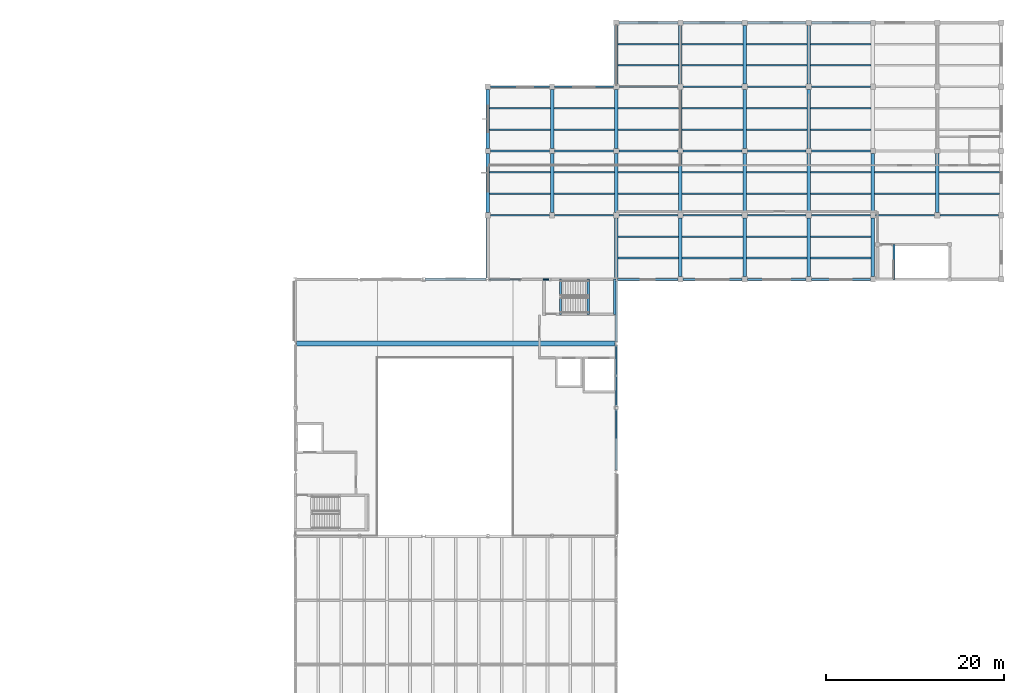
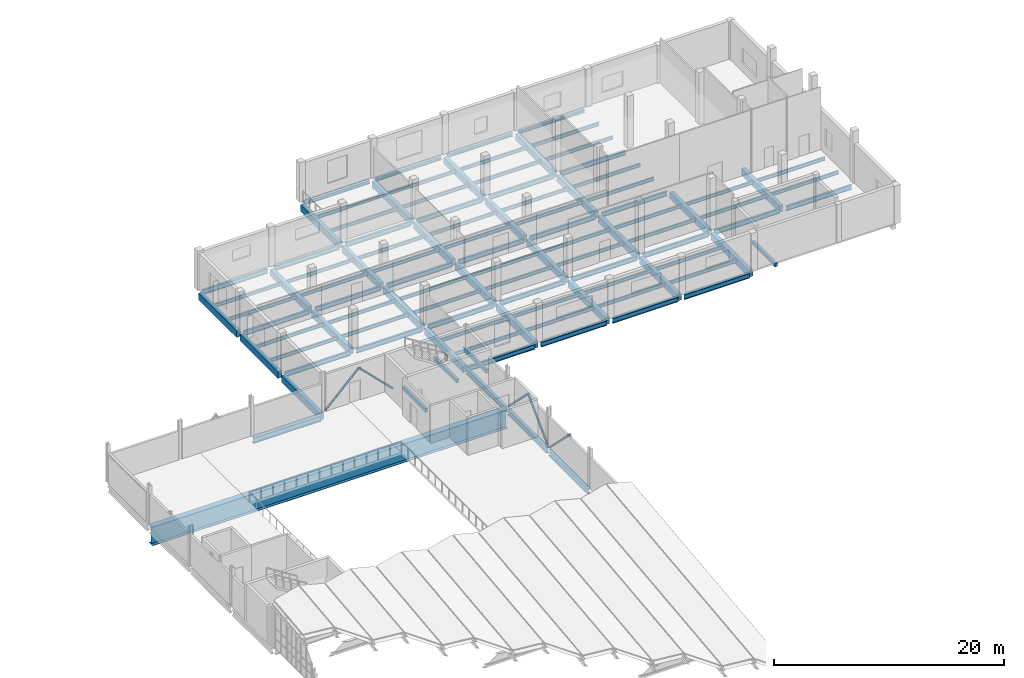
# One storey, part 19 of 48: 105 beams, 5 members.
"""IFC4 building model written with IfcOpenShell, lengths in metres."""

from ifc_helpers import new_model, si_unit, direction, frame, origin, origin_2d, place, context, subcontext, project, spatial, rectangle, hollow_circle, i_section, extrude, material, material_profile, profile_set, type_object, element, save


model = new_model("IFC4")

# Units and contexts
model_context = context("Model", 3, precision=1e-05, world=origin(), true_north=direction((0.0, 1.0)))
body_context = subcontext(model_context, "Body", "Model", "MODEL_VIEW")
ifc_project = project(units=[si_unit("LENGTHUNIT", "METRE"), si_unit("AREAUNIT", "SQUARE_METRE"), si_unit("VOLUMEUNIT", "CUBIC_METRE"), si_unit("PLANEANGLEUNIT", "RADIAN"), si_unit("MASSUNIT", "GRAM", prefix="KILO"), si_unit("THERMODYNAMICTEMPERATUREUNIT", "KELVIN"), si_unit("POWERUNIT", "WATT")], contexts=[model_context])

# Site, building, storey
site_placement = place(None, origin())
site = spatial("IfcSite", under=ifc_project, at=site_placement, CompositionType="ELEMENT")
building_placement = place(site_placement, origin())
building = spatial("IfcBuilding", under=site, at=building_placement, Name="Kaldorven Railside Theatre", CompositionType="ELEMENT")
storey_placement = place(building_placement, frame((0.0, 0.0, 18.89990234375)))
storey = spatial("IfcBuildingStorey", under=building, at=storey_placement, Name="L04", CompositionType="ELEMENT", Elevation=18.89990234375)

# Beams
ifc_material_1 = material(Name="Steel S355", Category="steel")
ifc_material_profile_1 = material_profile(ifc_material_1, i_section(OverallWidth=0.300048828125, OverallDepth=0.340087890625, WebThickness=0.011962890625, FlangeThickness=0.021484375, at=origin_2d()), Name="HEB 340")
ifc_profile_set_1 = profile_set([ifc_material_profile_1], Name="Steel S355")
beam_type_1 = type_object("IfcBeamType", Name="BM-HEB340", PredefinedType="SPANDREL", material=ifc_profile_set_1)
for number, where, z_axis, x_axis, name in (
    (1, (123.5, 141.60009765625, -0.449951171875), (1.0, 0.0, 0.0), (0.0, 1.0, 0.0), "L04 Girder BGX-L04-123-141"),
    (2, (130.699951171875, 141.60009765625, -0.449951171875), (1.0, 0.0, 0.0), (0.0, 1.0, 0.0), "L04 Girder BGX-L04-130-141"),
    (3, (137.89990234375, 141.60009765625, -0.449951171875), (1.0, 0.0, 0.0), (0.0, 1.0, 0.0), "L04 Girder BGX-L04-137-141"),
):
    element("IfcBeam", number, at=place(storey_placement, frame(where, z_axis=z_axis, x_axis=x_axis)), inside=storey, type_object=beam_type_1, Name=name, PredefinedType="SPANDREL", context=body_context, shape_type="SweptSolid", body=[
        extrude(i_section(OverallWidth=0.300048828125, OverallDepth=0.340087890625, WebThickness=0.011962890625, FlangeThickness=0.021484375, at=origin_2d()), origin(), (0.0, 0.0, 1.0), 6.60009765625),
    ])
beam_1_placement = place(storey_placement, frame((145.10009765625, 141.60009765625, -0.449951171875), z_axis=(1.0, 0.0, 0.0), x_axis=(0.0, 1.0, 0.0)))
element("IfcBeam", 4, at=beam_1_placement, inside=storey, type_object=beam_type_1, Name="L04 Girder BGX-L04-144-141", PredefinedType="SPANDREL", context=body_context, shape_type="SweptSolid", body=[
    extrude(i_section(OverallWidth=0.300048828125, OverallDepth=0.340087890625, WebThickness=0.011962890625, FlangeThickness=0.021484375, at=origin_2d()), origin(), (0.0, 0.0, 1.0), 6.599853515625),
])
ifc_material_profile_2 = material_profile(ifc_material_1, i_section(OverallWidth=0.300048828125, OverallDepth=0.60009765625, WebThickness=0.015380859375, FlangeThickness=0.030029296875, at=origin_2d()), Name="HEB 600")
ifc_profile_set_2 = profile_set([ifc_material_profile_2], Name="Steel S355")
beam_type_2 = type_object("IfcBeamType", Name="BM-HEB600", PredefinedType="BEAM", material=ifc_profile_set_2)
beam_2_placement = place(storey_placement, frame((123.199951171875, 91.39990234375, -0.539794921875), z_axis=(0.0, 1.0, 0.0), x_axis=(-1.0, 0.0, 0.0)))
element("IfcBeam", 5, at=beam_2_placement, inside=storey, type_object=beam_type_2, Name="L04 Girder BGY-L04-123-091-72", PredefinedType="BEAM", context=body_context, shape_type="SweptSolid", body=[
    extrude(i_section(OverallWidth=0.300048828125, OverallDepth=0.60009765625, WebThickness=0.015380859375, FlangeThickness=0.030029296875, at=origin_2d()), origin(), (0.0, 0.0, 1.0), 6.85009765625),
])
beam_3_placement = place(storey_placement, frame((123.199951171875, 98.550048828125, -0.539794921875), z_axis=(0.0, 1.0, 0.0), x_axis=(-1.0, 0.0, 0.0)))
element("IfcBeam", 6, at=beam_3_placement, inside=storey, type_object=beam_type_2, Name="L04 Girder BGY-L04-123-098-72", PredefinedType="BEAM", context=body_context, shape_type="SweptSolid", body=[
    extrude(i_section(OverallWidth=0.300048828125, OverallDepth=0.60009765625, WebThickness=0.015380859375, FlangeThickness=0.030029296875, at=origin_2d()), origin(), (0.0, 0.0, 1.0), 6.849853515625),
])
beam_4_placement = place(storey_placement, frame((123.199951171875, 105.800048828125, -0.579833984375), z_axis=(0.0, 1.0, 0.0), x_axis=(-1.0, 0.0, 0.0)))
element("IfcBeam", 7, at=beam_4_placement, inside=storey, type_object=beam_type_2, Name="L04 Girder BGY-L04-123-105-72", PredefinedType="BEAM", context=body_context, shape_type="SweptSolid", body=[
    extrude(i_section(OverallWidth=0.300048828125, OverallDepth=0.60009765625, WebThickness=0.015380859375, FlangeThickness=0.030029296875, at=origin_2d()), origin(), (0.0, 0.0, 1.0), 6.839599609375),
])
beam_5_placement = place(storey_placement, frame((101.75, 112.800048828125, -0.579833984375), z_axis=(1.0, 0.0, 0.0), x_axis=(0.0, 1.0, 0.0)))
element("IfcBeam", 8, at=beam_5_placement, inside=storey, type_object=beam_type_2, Name="L04 Girder BGX-L04-101-112", PredefinedType="BEAM", context=body_context, shape_type="SweptSolid", body=[
    extrude(i_section(OverallWidth=0.300048828125, OverallDepth=0.60009765625, WebThickness=0.015380859375, FlangeThickness=0.030029296875, at=origin_2d()), origin(), (0.0, 0.0, 1.0), 6.85009765625),
])
ifc_material_profile_3 = material_profile(ifc_material_1, i_section(OverallWidth=0.169921875, OverallDepth=0.360107421875, WebThickness=0.008056640625, FlangeThickness=0.0126953125, at=origin_2d()), Name="IPE 360")
ifc_profile_set_3 = profile_set([ifc_material_profile_3], Name="Steel S355")
beam_type_3 = type_object("IfcBeamType", Name="BM-IPE360", PredefinedType="JOIST", material=ifc_profile_set_3)
for number, where, z_axis, x_axis, name in (
    (9, (123.39990234375, 115.199951171875, -0.4599609375), (1.0, 0.0, 0.0), (0.0, 1.0, 0.0), "L04 Secondary Floor Joist JG-L04-123-1152"),
    (10, (123.39990234375, 117.60009765625, -0.4599609375), (1.0, 0.0, 0.0), (0.0, 1.0, 0.0), "L04 Secondary Floor Joist JG-L04-123-1176"),
):
    element("IfcBeam", number, at=place(storey_placement, frame(where, z_axis=z_axis, x_axis=x_axis)), inside=storey, type_object=beam_type_3, Name=name, PredefinedType="JOIST", context=body_context, shape_type="SweptSolid", body=[
        extrude(i_section(OverallWidth=0.169921875, OverallDepth=0.360107421875, WebThickness=0.008056640625, FlangeThickness=0.0126953125, at=origin_2d()), origin(), (0.0, 0.0, 1.0), 6.800048828125),
    ])
for number, where, z_axis, x_axis, name in (
    (11, (130.60009765625, 115.199951171875, -0.4599609375), (1.0, 0.0, 0.0), (0.0, 1.0, 0.0), "L04 Secondary Floor Joist JG-L04-130-1152"),
    (12, (130.60009765625, 117.60009765625, -0.4599609375), (1.0, 0.0, 0.0), (0.0, 1.0, 0.0), "L04 Secondary Floor Joist JG-L04-130-1176"),
):
    element("IfcBeam", number, at=place(storey_placement, frame(where, z_axis=z_axis, x_axis=x_axis)), inside=storey, type_object=beam_type_3, Name=name, PredefinedType="JOIST", context=body_context, shape_type="SweptSolid", body=[
        extrude(i_section(OverallWidth=0.169921875, OverallDepth=0.360107421875, WebThickness=0.008056640625, FlangeThickness=0.0126953125, at=origin_2d()), origin(), (0.0, 0.0, 1.0), 6.7998046875),
    ])
for number, where, z_axis, x_axis, name in (
    (13, (137.800048828125, 115.199951171875, -0.4599609375), (1.0, 0.0, 0.0), (0.0, 1.0, 0.0), "L04 Secondary Floor Joist JG-L04-137-1152"),
    (14, (137.800048828125, 117.60009765625, -0.4599609375), (1.0, 0.0, 0.0), (0.0, 1.0, 0.0), "L04 Secondary Floor Joist JG-L04-137-1176"),
    (15, (145.0, 115.199951171875, -0.4599609375), (1.0, 0.0, 0.0), (0.0, 1.0, 0.0), "L04 Secondary Floor Joist JG-L04-144-1152"),
    (16, (145.0, 117.60009765625, -0.4599609375), (1.0, 0.0, 0.0), (0.0, 1.0, 0.0), "L04 Secondary Floor Joist JG-L04-144-1176"),
    (17, (109.0, 122.39990234375, -0.4599609375), (1.0, 0.0, 0.0), (0.0, 1.0, 0.0), "L04 Secondary Floor Joist JG-L04-108-1224"),
    (18, (109.0, 124.800048828125, -0.4599609375), (1.0, 0.0, 0.0), (0.0, 1.0, 0.0), "L04 Secondary Floor Joist JG-L04-108-1248"),
    (19, (116.199951171875, 122.39990234375, -0.4599609375), (1.0, 0.0, 0.0), (0.0, 1.0, 0.0), "L04 Secondary Floor Joist JG-L04-116-1224"),
    (20, (116.199951171875, 124.800048828125, -0.4599609375), (1.0, 0.0, 0.0), (0.0, 1.0, 0.0), "L04 Secondary Floor Joist JG-L04-116-1248"),
    (21, (123.39990234375, 122.39990234375, -0.4599609375), (1.0, 0.0, 0.0), (0.0, 1.0, 0.0), "L04 Secondary Floor Joist JG-L04-123-1224"),
    (22, (123.39990234375, 124.800048828125, -0.4599609375), (1.0, 0.0, 0.0), (0.0, 1.0, 0.0), "L04 Secondary Floor Joist JG-L04-123-1248"),
):
    element("IfcBeam", number, at=place(storey_placement, frame(where, z_axis=z_axis, x_axis=x_axis)), inside=storey, type_object=beam_type_3, Name=name, PredefinedType="JOIST", context=body_context, shape_type="SweptSolid", body=[
        extrude(i_section(OverallWidth=0.169921875, OverallDepth=0.360107421875, WebThickness=0.008056640625, FlangeThickness=0.0126953125, at=origin_2d()), origin(), (0.0, 0.0, 1.0), 6.800048828125),
    ])
for number, where, z_axis, x_axis, name in (
    (23, (130.60009765625, 122.39990234375, -0.4599609375), (1.0, 0.0, 0.0), (0.0, 1.0, 0.0), "L04 Secondary Floor Joist JG-L04-130-1224"),
    (24, (130.60009765625, 124.800048828125, -0.4599609375), (1.0, 0.0, 0.0), (0.0, 1.0, 0.0), "L04 Secondary Floor Joist JG-L04-130-1248"),
):
    element("IfcBeam", number, at=place(storey_placement, frame(where, z_axis=z_axis, x_axis=x_axis)), inside=storey, type_object=beam_type_3, Name=name, PredefinedType="JOIST", context=body_context, shape_type="SweptSolid", body=[
        extrude(i_section(OverallWidth=0.169921875, OverallDepth=0.360107421875, WebThickness=0.008056640625, FlangeThickness=0.0126953125, at=origin_2d()), origin(), (0.0, 0.0, 1.0), 6.7998046875),
    ])
for number, where, z_axis, x_axis, name in (
    (25, (137.800048828125, 122.39990234375, -0.4599609375), (1.0, 0.0, 0.0), (0.0, 1.0, 0.0), "L04 Secondary Floor Joist JG-L04-137-1224"),
    (26, (137.800048828125, 124.800048828125, -0.4599609375), (1.0, 0.0, 0.0), (0.0, 1.0, 0.0), "L04 Secondary Floor Joist JG-L04-137-1248"),
    (27, (145.0, 122.39990234375, -0.4599609375), (1.0, 0.0, 0.0), (0.0, 1.0, 0.0), "L04 Secondary Floor Joist JG-L04-144-1224"),
    (28, (145.0, 124.800048828125, -0.4599609375), (1.0, 0.0, 0.0), (0.0, 1.0, 0.0), "L04 Secondary Floor Joist JG-L04-144-1248"),
    (29, (152.199951171875, 122.39990234375, -0.4599609375), (1.0, 0.0, 0.0), (0.0, 1.0, 0.0), "L04 Secondary Floor Joist JG-L04-152-1224"),
    (30, (152.199951171875, 124.800048828125, -0.4599609375), (1.0, 0.0, 0.0), (0.0, 1.0, 0.0), "L04 Secondary Floor Joist JG-L04-152-1248"),
    (31, (159.39990234375, 122.39990234375, -0.4599609375), (1.0, 0.0, 0.0), (0.0, 1.0, 0.0), "L04 Secondary Floor Joist JG-L04-159-1224"),
    (32, (159.39990234375, 124.800048828125, -0.4599609375), (1.0, 0.0, 0.0), (0.0, 1.0, 0.0), "L04 Secondary Floor Joist JG-L04-159-1248"),
    (33, (109.0, 129.60009765625, -0.4599609375), (1.0, 0.0, 0.0), (0.0, 1.0, 0.0), "L04 Secondary Floor Joist JG-L04-108-1296"),
    (34, (109.0, 132.0, -0.4599609375), (1.0, 0.0, 0.0), (0.0, 1.0, 0.0), "L04 Secondary Floor Joist JG-L04-108-1320"),
    (35, (116.199951171875, 129.60009765625, -0.4599609375), (1.0, 0.0, 0.0), (0.0, 1.0, 0.0), "L04 Secondary Floor Joist JG-L04-116-1296"),
    (36, (116.199951171875, 132.0, -0.4599609375), (1.0, 0.0, 0.0), (0.0, 1.0, 0.0), "L04 Secondary Floor Joist JG-L04-116-1320"),
    (37, (123.39990234375, 129.60009765625, -0.4599609375), (1.0, 0.0, 0.0), (0.0, 1.0, 0.0), "L04 Secondary Floor Joist JG-L04-123-1296"),
    (38, (123.39990234375, 132.0, -0.4599609375), (1.0, 0.0, 0.0), (0.0, 1.0, 0.0), "L04 Secondary Floor Joist JG-L04-123-1320"),
):
    element("IfcBeam", number, at=place(storey_placement, frame(where, z_axis=z_axis, x_axis=x_axis)), inside=storey, type_object=beam_type_3, Name=name, PredefinedType="JOIST", context=body_context, shape_type="SweptSolid", body=[
        extrude(i_section(OverallWidth=0.169921875, OverallDepth=0.360107421875, WebThickness=0.008056640625, FlangeThickness=0.0126953125, at=origin_2d()), origin(), (0.0, 0.0, 1.0), 6.800048828125),
    ])
for number, where, z_axis, x_axis, name in (
    (39, (130.60009765625, 129.60009765625, -0.4599609375), (1.0, 0.0, 0.0), (0.0, 1.0, 0.0), "L04 Secondary Floor Joist JG-L04-130-1296"),
    (40, (130.60009765625, 132.0, -0.4599609375), (1.0, 0.0, 0.0), (0.0, 1.0, 0.0), "L04 Secondary Floor Joist JG-L04-130-1320"),
):
    element("IfcBeam", number, at=place(storey_placement, frame(where, z_axis=z_axis, x_axis=x_axis)), inside=storey, type_object=beam_type_3, Name=name, PredefinedType="JOIST", context=body_context, shape_type="SweptSolid", body=[
        extrude(i_section(OverallWidth=0.169921875, OverallDepth=0.360107421875, WebThickness=0.008056640625, FlangeThickness=0.0126953125, at=origin_2d()), origin(), (0.0, 0.0, 1.0), 6.7998046875),
    ])
for number, where, z_axis, x_axis, name in (
    (41, (137.800048828125, 129.60009765625, -0.4599609375), (1.0, 0.0, 0.0), (0.0, 1.0, 0.0), "L04 Secondary Floor Joist JG-L04-137-1296"),
    (42, (137.800048828125, 132.0, -0.4599609375), (1.0, 0.0, 0.0), (0.0, 1.0, 0.0), "L04 Secondary Floor Joist JG-L04-137-1320"),
    (43, (145.0, 129.60009765625, -0.4599609375), (1.0, 0.0, 0.0), (0.0, 1.0, 0.0), "L04 Secondary Floor Joist JG-L04-144-1296"),
    (44, (145.0, 132.0, -0.4599609375), (1.0, 0.0, 0.0), (0.0, 1.0, 0.0), "L04 Secondary Floor Joist JG-L04-144-1320"),
    (45, (123.39990234375, 136.800048828125, -0.4599609375), (1.0, 0.0, 0.0), (0.0, 1.0, 0.0), "L04 Secondary Floor Joist JG-L04-123-1368"),
    (46, (123.39990234375, 139.199951171875, -0.4599609375), (1.0, 0.0, 0.0), (0.0, 1.0, 0.0), "L04 Secondary Floor Joist JG-L04-123-1392"),
):
    element("IfcBeam", number, at=place(storey_placement, frame(where, z_axis=z_axis, x_axis=x_axis)), inside=storey, type_object=beam_type_3, Name=name, PredefinedType="JOIST", context=body_context, shape_type="SweptSolid", body=[
        extrude(i_section(OverallWidth=0.169921875, OverallDepth=0.360107421875, WebThickness=0.008056640625, FlangeThickness=0.0126953125, at=origin_2d()), origin(), (0.0, 0.0, 1.0), 6.800048828125),
    ])
for number, where, z_axis, x_axis, name in (
    (47, (130.60009765625, 136.800048828125, -0.4599609375), (1.0, 0.0, 0.0), (0.0, 1.0, 0.0), "L04 Secondary Floor Joist JG-L04-130-1368"),
    (48, (130.60009765625, 139.199951171875, -0.4599609375), (1.0, 0.0, 0.0), (0.0, 1.0, 0.0), "L04 Secondary Floor Joist JG-L04-130-1392"),
):
    element("IfcBeam", number, at=place(storey_placement, frame(where, z_axis=z_axis, x_axis=x_axis)), inside=storey, type_object=beam_type_3, Name=name, PredefinedType="JOIST", context=body_context, shape_type="SweptSolid", body=[
        extrude(i_section(OverallWidth=0.169921875, OverallDepth=0.360107421875, WebThickness=0.008056640625, FlangeThickness=0.0126953125, at=origin_2d()), origin(), (0.0, 0.0, 1.0), 6.7998046875),
    ])
for number, where, z_axis, x_axis, name in (
    (49, (137.800048828125, 136.800048828125, -0.4599609375), (1.0, 0.0, 0.0), (0.0, 1.0, 0.0), "L04 Secondary Floor Joist JG-L04-137-1368"),
    (50, (137.800048828125, 139.199951171875, -0.4599609375), (1.0, 0.0, 0.0), (0.0, 1.0, 0.0), "L04 Secondary Floor Joist JG-L04-137-1392"),
    (51, (145.0, 136.800048828125, -0.4599609375), (1.0, 0.0, 0.0), (0.0, 1.0, 0.0), "L04 Secondary Floor Joist JG-L04-144-1368"),
    (52, (145.0, 139.199951171875, -0.4599609375), (1.0, 0.0, 0.0), (0.0, 1.0, 0.0), "L04 Secondary Floor Joist JG-L04-144-1392"),
):
    element("IfcBeam", number, at=place(storey_placement, frame(where, z_axis=z_axis, x_axis=x_axis)), inside=storey, type_object=beam_type_3, Name=name, PredefinedType="JOIST", context=body_context, shape_type="SweptSolid", body=[
        extrude(i_section(OverallWidth=0.169921875, OverallDepth=0.360107421875, WebThickness=0.008056640625, FlangeThickness=0.0126953125, at=origin_2d()), origin(), (0.0, 0.0, 1.0), 6.800048828125),
    ])
ifc_material_profile_4 = material_profile(ifc_material_1, i_section(OverallWidth=0.199951171875, OverallDepth=0.5, WebThickness=0.01025390625, FlangeThickness=0.01611328125, at=origin_2d()), Name="IPE 500")
ifc_profile_set_4 = profile_set([ifc_material_profile_4], Name="Steel S355")
beam_type_4 = type_object("IfcBeamType", Name="BM-IPE500", PredefinedType="BEAM", material=ifc_profile_set_4)
beam_6_placement = place(storey_placement, frame((123.3544921875, 112.800048828125, -0.52978515625), z_axis=(1.0, 0.0, 0.0), x_axis=(0.0, 1.0, 0.0)))
element("IfcBeam", 53, at=beam_6_placement, inside=storey, type_object=beam_type_4, Name="L04 Girder BGX-L04-123-112", PredefinedType="BEAM", context=body_context, shape_type="SweptSolid", body=[
    extrude(i_section(OverallWidth=0.199951171875, OverallDepth=0.5, WebThickness=0.01025390625, FlangeThickness=0.01611328125, at=origin_2d()), origin(), (0.0, 0.0, 1.0), 6.74560546875),
])
for number, where, z_axis, x_axis, name in (
    (54, (130.699951171875, 112.800048828125, -0.52978515625), (1.0, 0.0, 0.0), (0.0, 1.0, 0.0), "L04 Girder BGX-L04-130-112"),
    (55, (137.89990234375, 112.800048828125, -0.52978515625), (1.0, 0.0, 0.0), (0.0, 1.0, 0.0), "L04 Girder BGX-L04-137-112"),
):
    element("IfcBeam", number, at=place(storey_placement, frame(where, z_axis=z_axis, x_axis=x_axis)), inside=storey, type_object=beam_type_4, Name=name, PredefinedType="BEAM", context=body_context, shape_type="SweptSolid", body=[
        extrude(i_section(OverallWidth=0.199951171875, OverallDepth=0.5, WebThickness=0.01025390625, FlangeThickness=0.01611328125, at=origin_2d()), origin(), (0.0, 0.0, 1.0), 6.60009765625),
    ])
for number, where, z_axis, x_axis, name in (
    (56, (145.10009765625, 112.800048828125, -0.52978515625), (1.0, 0.0, 0.0), (0.0, 1.0, 0.0), "L04 Girder BGX-L04-144-112"),
    (57, (109.10009765625, 120.0, -0.52978515625), (1.0, 0.0, 0.0), (0.0, 1.0, 0.0), "L04 Girder BGX-L04-108-120"),
    (58, (116.300048828125, 120.0, -0.52978515625), (1.0, 0.0, 0.0), (0.0, 1.0, 0.0), "L04 Girder BGX-L04-116-120"),
):
    element("IfcBeam", number, at=place(storey_placement, frame(where, z_axis=z_axis, x_axis=x_axis)), inside=storey, type_object=beam_type_4, Name=name, PredefinedType="BEAM", context=body_context, shape_type="SweptSolid", body=[
        extrude(i_section(OverallWidth=0.199951171875, OverallDepth=0.5, WebThickness=0.01025390625, FlangeThickness=0.01611328125, at=origin_2d()), origin(), (0.0, 0.0, 1.0), 6.599853515625),
    ])
for number, where, z_axis, x_axis, name in (
    (59, (123.5, 120.0, -0.52978515625), (1.0, 0.0, 0.0), (0.0, 1.0, 0.0), "L04 Girder BGX-L04-123-120"),
    (60, (130.699951171875, 120.0, -0.52978515625), (1.0, 0.0, 0.0), (0.0, 1.0, 0.0), "L04 Girder BGX-L04-130-120"),
    (61, (137.89990234375, 120.0, -0.52978515625), (1.0, 0.0, 0.0), (0.0, 1.0, 0.0), "L04 Girder BGX-L04-137-120"),
):
    element("IfcBeam", number, at=place(storey_placement, frame(where, z_axis=z_axis, x_axis=x_axis)), inside=storey, type_object=beam_type_4, Name=name, PredefinedType="BEAM", context=body_context, shape_type="SweptSolid", body=[
        extrude(i_section(OverallWidth=0.199951171875, OverallDepth=0.5, WebThickness=0.01025390625, FlangeThickness=0.01611328125, at=origin_2d()), origin(), (0.0, 0.0, 1.0), 6.60009765625),
    ])
for number, where, z_axis, x_axis, name in (
    (62, (145.10009765625, 120.0, -0.52978515625), (1.0, 0.0, 0.0), (0.0, 1.0, 0.0), "L04 Girder BGX-L04-144-120"),
    (63, (152.300048828125, 120.0, -0.52978515625), (1.0, 0.0, 0.0), (0.0, 1.0, 0.0), "L04 Girder BGX-L04-152-120"),
):
    element("IfcBeam", number, at=place(storey_placement, frame(where, z_axis=z_axis, x_axis=x_axis)), inside=storey, type_object=beam_type_4, Name=name, PredefinedType="BEAM", context=body_context, shape_type="SweptSolid", body=[
        extrude(i_section(OverallWidth=0.199951171875, OverallDepth=0.5, WebThickness=0.01025390625, FlangeThickness=0.01611328125, at=origin_2d()), origin(), (0.0, 0.0, 1.0), 6.599853515625),
    ])
beam_7_placement = place(storey_placement, frame((159.5, 120.0, -0.52978515625), z_axis=(1.0, 0.0, 0.0), x_axis=(0.0, 1.0, 0.0)))
element("IfcBeam", 64, at=beam_7_placement, inside=storey, type_object=beam_type_4, Name="L04 Girder BGX-L04-159-120", PredefinedType="BEAM", context=body_context, shape_type="SweptSolid", body=[
    extrude(i_section(OverallWidth=0.199951171875, OverallDepth=0.5, WebThickness=0.01025390625, FlangeThickness=0.01611328125, at=origin_2d()), origin(), (0.0, 0.0, 1.0), 6.60009765625),
])
for number, where, z_axis, x_axis, name in (
    (65, (109.10009765625, 127.199951171875, -0.52978515625), (1.0, 0.0, 0.0), (0.0, 1.0, 0.0), "L04 Girder BGX-L04-108-127"),
    (66, (116.300048828125, 127.199951171875, -0.52978515625), (1.0, 0.0, 0.0), (0.0, 1.0, 0.0), "L04 Girder BGX-L04-116-127"),
):
    element("IfcBeam", number, at=place(storey_placement, frame(where, z_axis=z_axis, x_axis=x_axis)), inside=storey, type_object=beam_type_4, Name=name, PredefinedType="BEAM", context=body_context, shape_type="SweptSolid", body=[
        extrude(i_section(OverallWidth=0.199951171875, OverallDepth=0.5, WebThickness=0.01025390625, FlangeThickness=0.01611328125, at=origin_2d()), origin(), (0.0, 0.0, 1.0), 6.599853515625),
    ])
for number, where, z_axis, x_axis, name in (
    (67, (123.5, 127.199951171875, -0.52978515625), (1.0, 0.0, 0.0), (0.0, 1.0, 0.0), "L04 Girder BGX-L04-123-127"),
    (68, (130.699951171875, 127.199951171875, -0.52978515625), (1.0, 0.0, 0.0), (0.0, 1.0, 0.0), "L04 Girder BGX-L04-130-127"),
    (69, (137.89990234375, 127.199951171875, -0.52978515625), (1.0, 0.0, 0.0), (0.0, 1.0, 0.0), "L04 Girder BGX-L04-137-127"),
):
    element("IfcBeam", number, at=place(storey_placement, frame(where, z_axis=z_axis, x_axis=x_axis)), inside=storey, type_object=beam_type_4, Name=name, PredefinedType="BEAM", context=body_context, shape_type="SweptSolid", body=[
        extrude(i_section(OverallWidth=0.199951171875, OverallDepth=0.5, WebThickness=0.01025390625, FlangeThickness=0.01611328125, at=origin_2d()), origin(), (0.0, 0.0, 1.0), 6.60009765625),
    ])
for number, where, z_axis, x_axis, name in (
    (70, (145.10009765625, 127.199951171875, -0.52978515625), (1.0, 0.0, 0.0), (0.0, 1.0, 0.0), "L04 Girder BGX-L04-144-127"),
    (71, (109.10009765625, 134.39990234375, -0.52978515625), (1.0, 0.0, 0.0), (0.0, 1.0, 0.0), "L04 Girder BGX-L04-108-134"),
    (72, (116.300048828125, 134.39990234375, -0.52978515625), (1.0, 0.0, 0.0), (0.0, 1.0, 0.0), "L04 Girder BGX-L04-116-134"),
):
    element("IfcBeam", number, at=place(storey_placement, frame(where, z_axis=z_axis, x_axis=x_axis)), inside=storey, type_object=beam_type_4, Name=name, PredefinedType="BEAM", context=body_context, shape_type="SweptSolid", body=[
        extrude(i_section(OverallWidth=0.199951171875, OverallDepth=0.5, WebThickness=0.01025390625, FlangeThickness=0.01611328125, at=origin_2d()), origin(), (0.0, 0.0, 1.0), 6.599853515625),
    ])
for number, where, z_axis, x_axis, name in (
    (73, (123.5, 134.39990234375, -0.52978515625), (1.0, 0.0, 0.0), (0.0, 1.0, 0.0), "L04 Girder BGX-L04-123-134"),
    (74, (130.699951171875, 134.39990234375, -0.52978515625), (1.0, 0.0, 0.0), (0.0, 1.0, 0.0), "L04 Girder BGX-L04-130-134"),
    (75, (137.89990234375, 134.39990234375, -0.52978515625), (1.0, 0.0, 0.0), (0.0, 1.0, 0.0), "L04 Girder BGX-L04-137-134"),
):
    element("IfcBeam", number, at=place(storey_placement, frame(where, z_axis=z_axis, x_axis=x_axis)), inside=storey, type_object=beam_type_4, Name=name, PredefinedType="BEAM", context=body_context, shape_type="SweptSolid", body=[
        extrude(i_section(OverallWidth=0.199951171875, OverallDepth=0.5, WebThickness=0.01025390625, FlangeThickness=0.01611328125, at=origin_2d()), origin(), (0.0, 0.0, 1.0), 6.60009765625),
    ])
beam_8_placement = place(storey_placement, frame((145.10009765625, 134.39990234375, -0.52978515625), z_axis=(1.0, 0.0, 0.0), x_axis=(0.0, 1.0, 0.0)))
element("IfcBeam", 76, at=beam_8_placement, inside=storey, type_object=beam_type_4, Name="L04 Girder BGX-L04-144-134", PredefinedType="BEAM", context=body_context, shape_type="SweptSolid", body=[
    extrude(i_section(OverallWidth=0.199951171875, OverallDepth=0.5, WebThickness=0.01025390625, FlangeThickness=0.01611328125, at=origin_2d()), origin(), (0.0, 0.0, 1.0), 6.599853515625),
])
ifc_material_profile_5 = material_profile(ifc_material_1, i_section(OverallWidth=0.60009765625, OverallDepth=2.0, WebThickness=0.02490234375, FlangeThickness=0.0400390625, at=origin_2d()), Name="PG 2000x600x40x25")
ifc_profile_set_5 = profile_set([ifc_material_profile_5], Name="Steel S355")
beam_type_5 = type_object("IfcBeamType", Name="BM-PG2000", PredefinedType="BEAM", material=ifc_profile_set_5)
beam_9_placement = place(storey_placement, frame((87.35009765625, 105.60009765625, -1.239990234375), z_axis=(1.0, 0.0, 0.0), x_axis=(0.0, 1.0, 0.0)))
element("IfcBeam", 77, at=beam_9_placement, inside=storey, type_object=beam_type_5, Name="L04 Fly-Tower Loading-Bridge Plate Girder PG-0001", PredefinedType="BEAM", context=body_context, shape_type="SweptSolid", body=[
    extrude(i_section(OverallWidth=0.60009765625, OverallDepth=2.0, WebThickness=0.02490234375, FlangeThickness=0.0400390625, at=origin_2d()), origin(), (0.0, 0.0, 1.0), 35.699951171875),
])
ifc_material_2 = material(Name="Concrete C40/50", Category="concrete")
ifc_material_profile_6 = material_profile(ifc_material_2, rectangle(XDim=0.25, YDim=0.39990234375, at=origin_2d()), Name="RC 250x400")
ifc_profile_set_6 = profile_set([ifc_material_profile_6], Name="Concrete C40/50")
beam_type_6 = type_object("IfcBeamType", Name="BM-RC250x400", PredefinedType="LINTEL", material=ifc_profile_set_6)
beam_10_placement = place(storey_placement, frame((116.949951171875, 108.8701171875, -0.344970703125), z_axis=(0.0, 1.0, 0.0), x_axis=(-1.0, 0.0, 0.0)))
element("IfcBeam", 78, at=beam_10_placement, inside=storey, type_object=beam_type_6, Name="Stair ST-06 L04 Landing Trimmer Beam", PredefinedType="LINTEL", context=body_context, shape_type="SweptSolid", body=[
    extrude(rectangle(XDim=0.25, YDim=0.39990234375, at=origin_2d()), origin(), (0.0, 0.0, 1.0), 3.9599609375),
])
for number, where, z_axis, x_axis, name in (
    (79, (120.054931640625, 108.840087890625, 1.7001953125), (0.0, 1.0, 0.0), (-1.0, 0.0, 0.0), "Stair ST-06 L04 Half-Landing Bearer"),
    (80, (123.030029296875, 108.840087890625, 1.7001953125), (0.0, 1.0, 0.0), (-1.0, 0.0, 0.0), "Stair ST-06 L04 Half-Landing Bearer"),
):
    element("IfcBeam", number, at=place(storey_placement, frame(where, z_axis=z_axis, x_axis=x_axis)), inside=storey, type_object=beam_type_6, Name=name, PredefinedType="LINTEL", context=body_context, shape_type="SweptSolid", body=[
        extrude(rectangle(XDim=0.25, YDim=0.39990234375, at=origin_2d()), origin(), (0.0, 0.0, 1.0), 4.02001953125),
    ])
beam_11_placement = place(storey_placement, frame((154.35009765625, 112.77001953125, -0.344970703125), z_axis=(0.0, 1.0, 0.0), x_axis=(-1.0, 0.0, 0.0)))
element("IfcBeam", 81, at=beam_11_placement, inside=storey, type_object=beam_type_6, Name="Stair ST-08 L04 Landing Trimmer Beam", PredefinedType="LINTEL", context=body_context, shape_type="SweptSolid", body=[
    extrude(rectangle(XDim=0.25, YDim=0.39990234375, at=origin_2d()), origin(), (0.0, 0.0, 1.0), 3.9599609375),
])
ifc_material_profile_7 = material_profile(ifc_material_2, rectangle(XDim=0.39990234375, YDim=0.699951171875, at=origin_2d()), Name="RC 400x700")
ifc_profile_set_7 = profile_set([ifc_material_profile_7], Name="Concrete C40/50")
beam_type_7 = type_object("IfcBeamType", Name="BM-RC400x700", PredefinedType="BEAM", material=ifc_profile_set_7)
beam_12_placement = place(storey_placement, frame((108.800048828125, 112.949951171875, -0.6298828125), z_axis=(0.0, 1.0, 0.0), x_axis=(-1.0, 0.0, 0.0)))
element("IfcBeam", 82, at=beam_12_placement, inside=storey, type_object=beam_type_7, Name="L04 Girder BGY-L04-108-112-72", PredefinedType="BEAM", context=body_context, shape_type="SweptSolid", body=[
    extrude(rectangle(XDim=0.39990234375, YDim=0.699951171875, at=origin_2d()), origin(), (0.0, 0.0, 1.0), 6.75),
])
beam_13_placement = place(storey_placement, frame((123.199951171875, 112.960205078125, -0.6298828125), z_axis=(0.0, 1.0, 0.0), x_axis=(-1.0, 0.0, 0.0)))
element("IfcBeam", 83, at=beam_13_placement, inside=storey, type_object=beam_type_7, Name="L04 Girder BGY-L04-123-112-72", PredefinedType="BEAM", context=body_context, shape_type="SweptSolid", body=[
    extrude(rectangle(XDim=0.39990234375, YDim=0.699951171875, at=origin_2d()), origin(), (0.0, 0.0, 1.0), 6.73974609375),
])
for number, where, z_axis, x_axis, name in (
    (84, (130.39990234375, 113.10009765625, -0.6298828125), (0.0, 1.0, 0.0), (-1.0, 0.0, 0.0), "L04 Girder BGY-L04-130-112-72"),
    (85, (137.60009765625, 113.10009765625, -0.6298828125), (0.0, 1.0, 0.0), (-1.0, 0.0, 0.0), "L04 Girder BGY-L04-137-112-72"),
    (86, (144.800048828125, 113.10009765625, -0.6298828125), (0.0, 1.0, 0.0), (-1.0, 0.0, 0.0), "L04 Girder BGY-L04-144-112-72"),
    (87, (152.0, 113.10009765625, -0.6298828125), (0.0, 1.0, 0.0), (-1.0, 0.0, 0.0), "L04 Girder BGY-L04-152-112-72"),
    (88, (108.800048828125, 120.300048828125, -0.6298828125), (0.0, 1.0, 0.0), (-1.0, 0.0, 0.0), "L04 Girder BGY-L04-108-120-72"),
    (89, (116.0, 120.300048828125, -0.6298828125), (0.0, 1.0, 0.0), (-1.0, 0.0, 0.0), "L04 Girder BGY-L04-116-120-72"),
    (90, (123.199951171875, 120.300048828125, -0.6298828125), (0.0, 1.0, 0.0), (-1.0, 0.0, 0.0), "L04 Girder BGY-L04-123-120-72"),
    (91, (130.39990234375, 120.300048828125, -0.6298828125), (0.0, 1.0, 0.0), (-1.0, 0.0, 0.0), "L04 Girder BGY-L04-130-120-72"),
    (92, (137.60009765625, 120.300048828125, -0.6298828125), (0.0, 1.0, 0.0), (-1.0, 0.0, 0.0), "L04 Girder BGY-L04-137-120-72"),
    (93, (144.800048828125, 120.300048828125, -0.6298828125), (0.0, 1.0, 0.0), (-1.0, 0.0, 0.0), "L04 Girder BGY-L04-144-120-72"),
    (94, (152.0, 120.300048828125, -0.6298828125), (0.0, 1.0, 0.0), (-1.0, 0.0, 0.0), "L04 Girder BGY-L04-152-120-72"),
    (95, (159.199951171875, 120.300048828125, -0.6298828125), (0.0, 1.0, 0.0), (-1.0, 0.0, 0.0), "L04 Girder BGY-L04-159-120-72"),
):
    element("IfcBeam", number, at=place(storey_placement, frame(where, z_axis=z_axis, x_axis=x_axis)), inside=storey, type_object=beam_type_7, Name=name, PredefinedType="BEAM", context=body_context, shape_type="SweptSolid", body=[
        extrude(rectangle(XDim=0.39990234375, YDim=0.699951171875, at=origin_2d()), origin(), (0.0, 0.0, 1.0), 6.599853515625),
    ])
for number, where, z_axis, x_axis, name in (
    (96, (108.800048828125, 127.5, -0.6298828125), (0.0, 1.0, 0.0), (-1.0, 0.0, 0.0), "L04 Girder BGY-L04-108-127-72"),
    (97, (116.0, 127.5, -0.6298828125), (0.0, 1.0, 0.0), (-1.0, 0.0, 0.0), "L04 Girder BGY-L04-116-127-72"),
    (98, (123.199951171875, 127.5, -0.6298828125), (0.0, 1.0, 0.0), (-1.0, 0.0, 0.0), "L04 Girder BGY-L04-123-127-72"),
    (99, (130.39990234375, 127.5, -0.6298828125), (0.0, 1.0, 0.0), (-1.0, 0.0, 0.0), "L04 Girder BGY-L04-130-127-72"),
    (100, (137.60009765625, 127.5, -0.6298828125), (0.0, 1.0, 0.0), (-1.0, 0.0, 0.0), "L04 Girder BGY-L04-137-127-72"),
    (101, (144.800048828125, 127.5, -0.6298828125), (0.0, 1.0, 0.0), (-1.0, 0.0, 0.0), "L04 Girder BGY-L04-144-127-72"),
    (102, (123.199951171875, 134.699951171875, -0.6298828125), (0.0, 1.0, 0.0), (-1.0, 0.0, 0.0), "L04 Girder BGY-L04-123-134-72"),
    (103, (130.39990234375, 134.699951171875, -0.6298828125), (0.0, 1.0, 0.0), (-1.0, 0.0, 0.0), "L04 Girder BGY-L04-130-134-72"),
    (104, (137.60009765625, 134.699951171875, -0.6298828125), (0.0, 1.0, 0.0), (-1.0, 0.0, 0.0), "L04 Girder BGY-L04-137-134-72"),
    (105, (144.800048828125, 134.699951171875, -0.6298828125), (0.0, 1.0, 0.0), (-1.0, 0.0, 0.0), "L04 Girder BGY-L04-144-134-72"),
):
    element("IfcBeam", number, at=place(storey_placement, frame(where, z_axis=z_axis, x_axis=x_axis)), inside=storey, type_object=beam_type_7, Name=name, PredefinedType="BEAM", context=body_context, shape_type="SweptSolid", body=[
        extrude(rectangle(XDim=0.39990234375, YDim=0.699951171875, at=origin_2d()), origin(), (0.0, 0.0, 1.0), 6.60009765625),
    ])

# Members
ifc_material_profile_8 = material_profile(ifc_material_1, hollow_circle(Radius=0.109619140625, WallThickness=0.010009765625, at=origin_2d()), Name="CHS 219.1x10")
ifc_profile_set_8 = profile_set([ifc_material_profile_8], Name="Steel S355")
member_type = type_object("IfcMemberType", Name="MEM-CHS219", PredefinedType="BRACE", material=ifc_profile_set_8)
for number, where, z_axis, x_axis, name in (
    (106, (123.199951171875, 98.179931640625, 0.0400390625), (0.0, -0.70917840718, 0.705029068046), (1.0, 0.0, 0.0), "Fly-Tower Concentric Chevron Brace BR-042"),
    (107, (123.199951171875, 98.6201171875, 0.0400390625), (0.0, 0.70917840718, 0.705029068046), (-1.0, 0.0, 0.0), "Fly-Tower Concentric Chevron Brace BR-043"),
    (108, (123.199951171875, 105.3798828125, 0.0400390625), (0.0, -0.70917840718, 0.705029068046), (1.0, 0.0, 0.0), "Fly-Tower Concentric Chevron Brace BR-044"),
    (109, (109.02001953125, 112.800048828125, 0.0400390625), (0.70917840718, 0.0, 0.705029068046), (0.0, 1.0, 0.0), "Fly-Tower Concentric Chevron Brace BR-047"),
):
    element("IfcMember", number, at=place(storey_placement, frame(where, z_axis=z_axis, x_axis=x_axis)), inside=storey, type_object=member_type, Name=name, PredefinedType="BRACE", context=body_context, shape_type="SweptSolid", body=[
        extrude(hollow_circle(Radius=0.109619140625, WallThickness=0.010009765625, at=origin_2d()), origin(), (0.0, 0.0, 1.0), 4.765869140625),
    ])
member_placement = place(storey_placement, frame((115.780029296875, 112.800048828125, 0.0400390625), z_axis=(-0.709203868698, 0.0, 0.705003455753), x_axis=(0.0, -1.0, 0.0)))
element("IfcMember", 110, at=member_placement, inside=storey, type_object=member_type, Name="Fly-Tower Concentric Chevron Brace BR-048", PredefinedType="BRACE", context=body_context, shape_type="SweptSolid", body=[
    extrude(hollow_circle(Radius=0.109619140625, WallThickness=0.010009765625, at=origin_2d()), origin(), (0.0, 0.0, 1.0), 4.76611328125),
])

save(model, "model.ifc")
